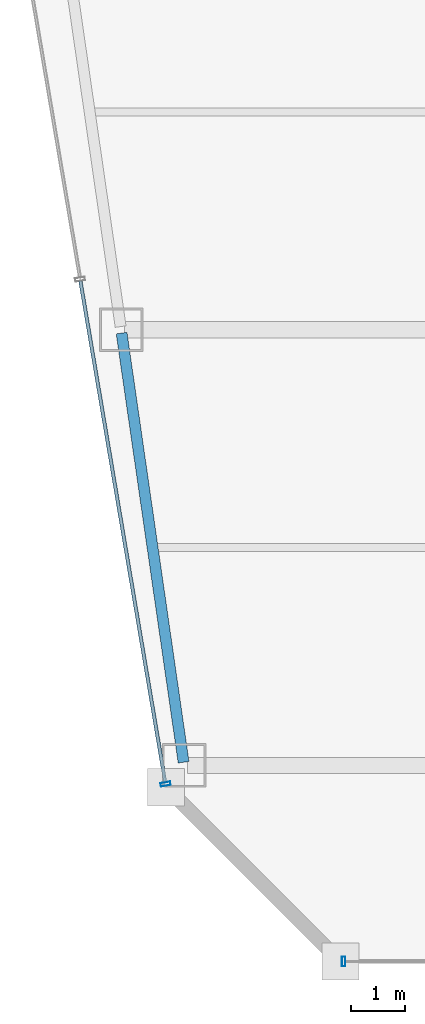
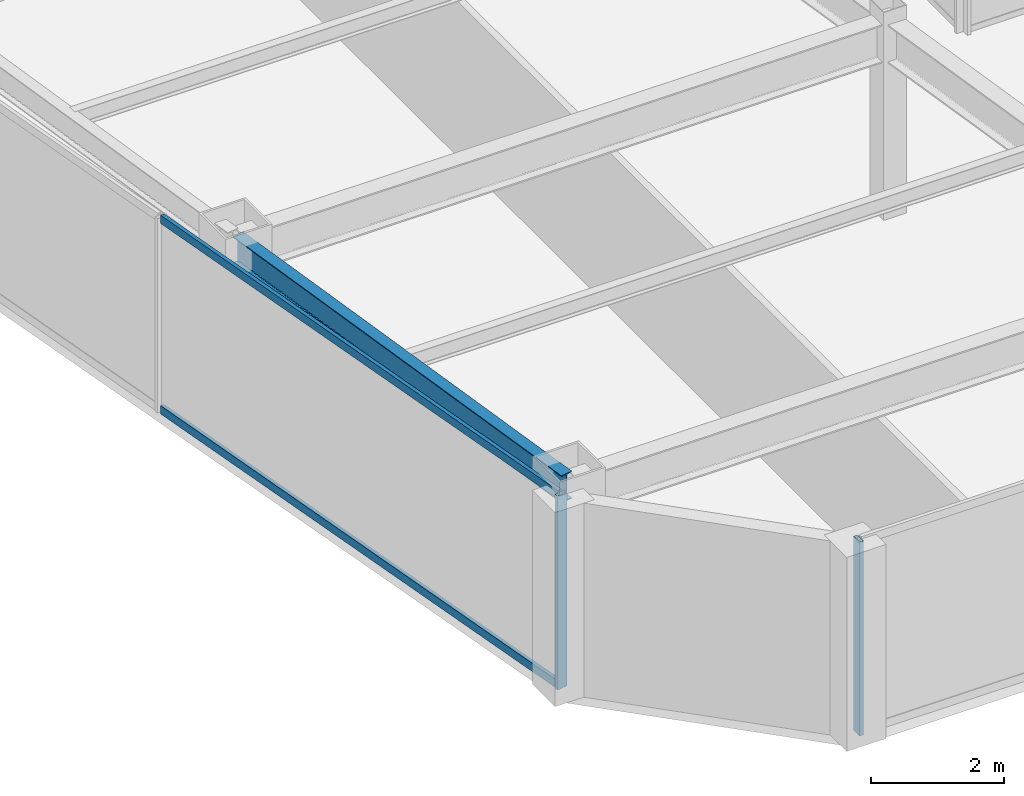
# One storey, part 3 of 35: 4 members, 1 beam, 2 elements without a shape of their own.
"""IFC4 building model written with IfcOpenShell, lengths in metres."""

from ifc_helpers import new_model, si_unit, direction, frame, origin, origin_2d, place, context, subcontext, project, spatial, hollow_rectangle, i_section, extrude, material, material_profile, profile_set, type_object, element, aggregate, save


model = new_model("IFC4")

# Units and contexts
model_context = context("Model", 3, precision=1e-05, world=origin(), true_north=direction((0.0, 1.0)))
body_context = subcontext(model_context, "Body", "Model", "MODEL_VIEW")
ifc_project = project(units=[si_unit("LENGTHUNIT", "METRE"), si_unit("AREAUNIT", "SQUARE_METRE"), si_unit("VOLUMEUNIT", "CUBIC_METRE"), si_unit("PLANEANGLEUNIT", "RADIAN"), si_unit("MASSUNIT", "GRAM", prefix="KILO")], contexts=[model_context])

# Site, building, storey
site_placement = place(None, origin())
site = spatial("IfcSite", under=ifc_project, at=site_placement, CompositionType="ELEMENT")
building_placement = place(site_placement, origin())
building = spatial("IfcBuilding", under=site, at=building_placement, Name="Saevonmaru Cultural Tower", CompositionType="ELEMENT")
storey_placement = place(building_placement, frame((0.0, 0.0, 213.199951171875)))
storey = spatial("IfcBuildingStorey", under=building, at=storey_placement, Name="L49", CompositionType="ELEMENT", Elevation=213.199951171875)

# Beam
ifc_material_1 = material(Name="Steel SM355", Category="steel")
ifc_material_profile_1 = material_profile(ifc_material_1, i_section(OverallWidth=0.199951171875, OverallDepth=0.5, WebThickness=0.010009765625, FlangeThickness=0.01611328125, FilletRadius=0.02001953125, at=origin_2d()), Name="H-500x200x10x16")
ifc_profile_set_1 = profile_set([ifc_material_profile_1], Name="Steel SM355")
beam_type = type_object("IfcBeamType", Name="BM-SP-H500", PredefinedType="SPANDREL", material=ifc_profile_set_1)
beam_placement = place(storey_placement, frame((10.619384765625, 16.059326171875, 3.300048828125), z_axis=(-0.142992129437, 0.989723825579, 0.0), x_axis=(-0.989723825579, -0.142992129437, 0.0)))
element("IfcBeam", 1, at=beam_placement, inside=storey, type_object=beam_type, Name="L49 West Splayed Spandrel 1", PredefinedType="SPANDREL", context=body_context, shape_type="SweptSolid", body=[
    extrude(i_section(OverallWidth=0.199951171875, OverallDepth=0.5, WebThickness=0.010009765625, FlangeThickness=0.01611328125, FilletRadius=0.02001953125, at=origin_2d()), origin(), (0.0, 0.0, 1.0), 7.963134765625),
])

# Curtain wall, member
ifc_material_2 = material(Name="Satin Bronze Anodised Aluminium", Category="aluminium")
curtain_wall_type = type_object("IfcCurtainWallType", Name="CW-TYP-B", PredefinedType="NOTDEFINED", material=ifc_material_2)
curtain_wall_1_placement = place(storey_placement, origin())
curtain_wall_1 = element("IfcCurtainWall", 2, at=curtain_wall_1_placement, inside=storey, type_object=curtain_wall_type, Name="L49 Unitised Curtain Wall E2", PredefinedType="NOTDEFINED")
ifc_material_profile_2 = material_profile(ifc_material_2, hollow_rectangle(XDim=0.06494140625, YDim=0.179931640625, WallThickness=0.00390625, at=origin_2d()), Name="ALU-MULL-180x65x4")
ifc_profile_set_2 = profile_set([ifc_material_profile_2], Name="Satin Bronze Anodised Aluminium")
member_type_1 = type_object("IfcMemberType", Name="ML-CW-180x65", PredefinedType="MULLION", material=ifc_profile_set_2)
member_1_placement = place(storey_placement, frame((13.557861328125, 12.39990234375, 0.0), z_axis=(0.0, 0.0, 1.0), x_axis=(1.0, 0.0, 0.0)))
member_1 = element("IfcMember", 3, at=member_1_placement, type_object=member_type_1, Name="CW-TW-L49-E2 mullion 1", PredefinedType="MULLION", context=body_context, shape_type="SweptSolid", body=[
    extrude(hollow_rectangle(XDim=0.06494140625, YDim=0.179931640625, WallThickness=0.00390625, at=origin_2d()), origin(), (0.0, 0.0, 1.0), 3.550048828125),
])
aggregate(curtain_wall_1, [member_1])

# Curtain wall, members
curtain_wall_2_placement = place(storey_placement, origin())
curtain_wall_2 = element("IfcCurtainWall", 4, at=curtain_wall_2_placement, inside=storey, type_object=curtain_wall_type, Name="L49 Unitised Curtain Wall E12", PredefinedType="NOTDEFINED")
member_2_placement = place(storey_placement, frame((10.287841796875, 15.6591796875, 0.0), z_axis=(0.0, 0.0, 1.0), x_axis=(0.16692169721, -0.985970155228, 0.0)))
member_2 = element("IfcMember", 5, at=member_2_placement, type_object=member_type_1, Name="CW-TW-L49-E12 mullion 5", PredefinedType="MULLION", context=body_context, shape_type="SweptSolid", body=[
    extrude(hollow_rectangle(XDim=0.06494140625, YDim=0.179931640625, WallThickness=0.00390625, at=origin_2d()), origin(), (0.0, 0.0, 1.0), 3.550048828125),
])
ifc_material_profile_3 = material_profile(ifc_material_2, hollow_rectangle(XDim=0.06494140625, YDim=0.14990234375, WallThickness=0.00390625, at=origin_2d()), Name="ALU-TRAN-150x65x4")
ifc_profile_set_3 = profile_set([ifc_material_profile_3], Name="Satin Bronze Anodised Aluminium")
member_type_2 = type_object("IfcMemberType", Name="TR-CW-150x65", PredefinedType="USERDEFINED", material=ifc_profile_set_3)
member_3_placement = place(storey_placement, frame((8.723876953125, 24.8974609375, 0.032470703125), z_axis=(0.166921263871, -0.985970228591, 0.0), x_axis=(0.985970228591, 0.166921263871, 0.0)))
member_3 = element("IfcMember", 6, at=member_3_placement, type_object=member_type_2, Name="CW-TW-L49-E12 transom 4.1", ObjectType="TRANSOM", PredefinedType="USERDEFINED", context=body_context, shape_type="SweptSolid", body=[
    extrude(hollow_rectangle(XDim=0.06494140625, YDim=0.14990234375, WallThickness=0.00390625, at=origin_2d()), origin(), (0.0, 0.0, 1.0), 9.33740234375),
])
member_4_placement = place(storey_placement, frame((8.723876953125, 24.8974609375, 3.517578125), z_axis=(0.166921263871, -0.985970228591, 0.0), x_axis=(0.985970228591, 0.166921263871, 0.0)))
member_4 = element("IfcMember", 7, at=member_4_placement, type_object=member_type_2, Name="CW-TW-L49-E12 transom 4.2", ObjectType="TRANSOM", PredefinedType="USERDEFINED", context=body_context, shape_type="SweptSolid", body=[
    extrude(hollow_rectangle(XDim=0.06494140625, YDim=0.14990234375, WallThickness=0.00390625, at=origin_2d()), origin(), (0.0, 0.0, 1.0), 9.33740234375),
])
aggregate(curtain_wall_2, [member_2, member_3, member_4])

save(model, "model.ifc")
